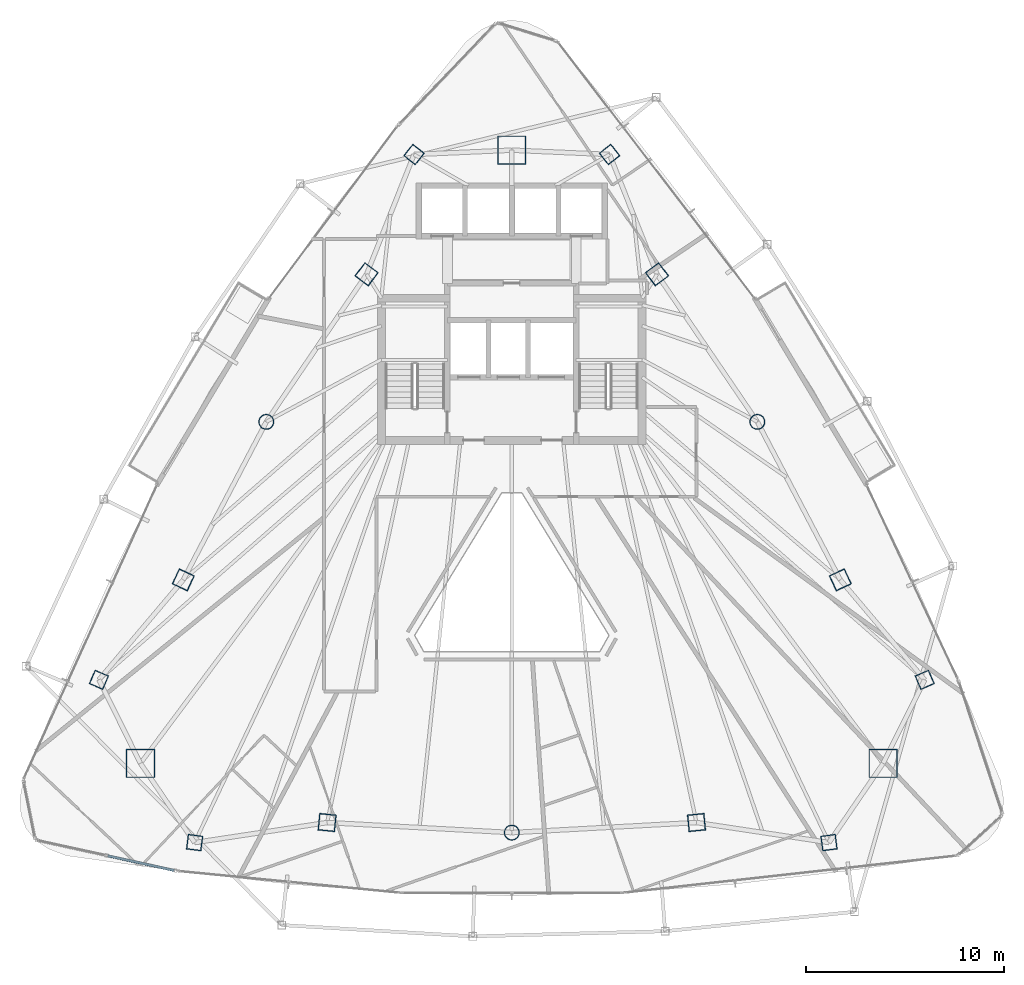
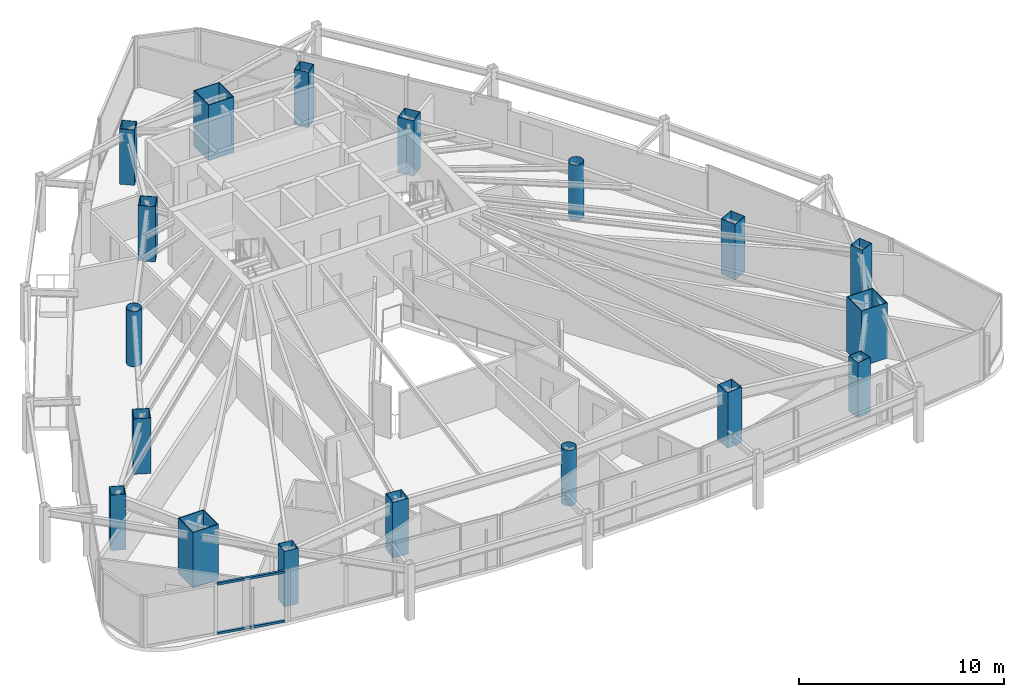
# One storey, part 1 of 29: 18 columns, 2 members, 1 element without a shape of its own.
"""IFC4 building model written with IfcOpenShell, lengths in metres."""

from ifc_helpers import new_model, si_unit, direction, frame, origin, origin_2d, place, context, subcontext, project, spatial, hollow_rectangle, hollow_circle, extrude, material, layer, layer_set, material_profile, profile_set, type_object, element, aggregate, save


model = new_model("IFC4")

# Units and contexts
model_context = context("Model", 3, precision=1e-05, world=origin(), true_north=direction((0.0, 1.0)))
body_context = subcontext(model_context, "Body", "Model", "MODEL_VIEW")
ifc_project = project(units=[si_unit("LENGTHUNIT", "METRE"), si_unit("AREAUNIT", "SQUARE_METRE"), si_unit("VOLUMEUNIT", "CUBIC_METRE"), si_unit("PLANEANGLEUNIT", "RADIAN"), si_unit("MASSUNIT", "GRAM", prefix="KILO")], contexts=[model_context])

# Site, building, storey
site_placement = place(None, origin())
site = spatial("IfcSite", under=ifc_project, at=site_placement, CompositionType="ELEMENT")
building_placement = place(site_placement, origin())
building = spatial("IfcBuilding", under=site, at=building_placement, Name="Orvanel Arch Residences", CompositionType="ELEMENT")
storey_placement = place(building_placement, frame((0.0, 0.0, 163.85009765625)))
storey = spatial("IfcBuildingStorey", under=building, at=storey_placement, Name="L46", CompositionType="ELEMENT", Elevation=163.85009765625)

# Columns
ifc_material_1 = material(Name="Structural steel AS/NZS 1163 C450L0 (Grade 450)", Category="steel")
ifc_material_profile_1 = material_profile(ifc_material_1, hollow_circle(Radius=0.381103515625, WallThickness=0.02197265625, at=origin_2d()), Name="CHS762x22")
ifc_profile_set_1 = profile_set([ifc_material_profile_1], Name="Structural steel AS/NZS 1163 C450L0 (Grade 450)")
column_type_1 = type_object("IfcColumnType", Name="CC-762", PredefinedType="COLUMN", material=ifc_profile_set_1)
for number, where, z_axis, x_axis, name in (
    (1, (20.569091796875, 27.64111328125, 0.0), (0.0, 0.0, 1.0), (1.0, 0.0, 0.0), "L46 High-Rise Tube Column 02"),
    (2, (33.0, 6.843994140625, 0.0), (0.0, 0.0, 1.0), (1.0, 0.0, 0.0), "L46 High-Rise Tube Column 05"),
    (3, (45.430908203125, 27.64111328125, 0.0), (0.0, 0.0, 1.0), (1.0, 0.0, 0.0), "L46 High-Rise Tube Column 08"),
):
    element("IfcColumn", number, at=place(storey_placement, frame(where, z_axis=z_axis, x_axis=x_axis)), inside=storey, type_object=column_type_1, Name=name, PredefinedType="COLUMN", context=body_context, shape_type="SweptSolid", body=[
        extrude(hollow_circle(Radius=0.381103515625, WallThickness=0.02197265625, at=origin_2d()), origin(), (0.0, 0.0, 1.0), 3.2998046875),
    ])
ifc_material_2 = material(Name="Structural steel AS/NZS 3678 Grade 450", Category="steel")
ifc_material_profile_2 = material_profile(ifc_material_2, hollow_rectangle(XDim=1.449951171875, YDim=1.449951171875, WallThickness=0.044921875, at=origin_2d()), Name="BOX1450x1450x45")
ifc_profile_set_2 = profile_set([ifc_material_profile_2], Name="Structural steel AS/NZS 3678 Grade 450")
column_type_2 = type_object("IfcColumnType", Name="MC-1450", PredefinedType="COLUMN", material=ifc_profile_set_2)
for number, where, z_axis, x_axis, name in (
    (4, (33.0, 41.39794921875, 0.0), (0.0, 0.0, 1.0), (1.0, 0.0, 0.0), "L46 Corner Mega-Column 1"),
    (5, (14.198974609375, 10.35107421875, 0.0), (0.0, 0.0, 1.0), (1.0, 0.0, 0.0), "L46 Corner Mega-Column 2"),
    (6, (51.801025390625, 10.35107421875, 0.0), (0.0, 0.0, 1.0), (1.0, 0.0, 0.0), "L46 Corner Mega-Column 3"),
):
    element("IfcColumn", number, at=place(storey_placement, frame(where, z_axis=z_axis, x_axis=x_axis)), inside=storey, type_object=column_type_2, Name=name, PredefinedType="COLUMN", context=body_context, shape_type="SweptSolid", body=[
        extrude(hollow_rectangle(XDim=1.449951171875, YDim=1.449951171875, WallThickness=0.044921875, at=origin_2d()), origin(), (0.0, 0.0, 1.0), 3.2998046875),
    ])
ifc_material_3 = material(Name="Structural steel AS/NZS 3678 Grade 350", Category="steel")
ifc_material_profile_3 = material_profile(ifc_material_3, hollow_rectangle(XDim=0.75, YDim=0.75, WallThickness=0.02490234375, at=origin_2d()), Name="BOX750x750x25")
ifc_profile_set_3 = profile_set([ifc_material_profile_3], Name="Structural steel AS/NZS 3678 Grade 350")
column_type_3 = type_object("IfcColumnType", Name="TC-750", PredefinedType="COLUMN", material=ifc_profile_set_3)
for number, where, z_axis, x_axis, name in (
    (7, (28.050048828125, 41.177978515625, 0.0), (0.0, 0.0, 1.0), (0.623879596709, 0.781520472419, 0.0), "L46 Mid-Rise Buttress Tube Column 01"),
    (8, (12.094970703125, 14.580078125, 0.0), (0.0, 0.0, 1.0), (0.397147890635, 0.917754625684, 0.0), "L46 Mid-Rise Buttress Tube Column 02"),
    (9, (16.94091796875, 6.339111328125, 0.0), (0.0, 0.0, 1.0), (-0.99189444259, 0.127064608601, 0.0), "L46 Mid-Rise Buttress Tube Column 03"),
    (10, (49.05908203125, 6.339111328125, 0.0), (0.0, 0.0, 1.0), (0.99189444259, 0.127064608601, 0.0), "L46 Mid-Rise Buttress Tube Column 04"),
    (11, (53.905029296875, 14.580078125, 0.0), (0.0, 0.0, 1.0), (-0.397147890635, 0.917754625684, 0.0), "L46 Mid-Rise Buttress Tube Column 05"),
    (12, (37.949951171875, 41.177978515625, 0.0), (0.0, 0.0, 1.0), (-0.623879596709, 0.781520472419, 0.0), "L46 Mid-Rise Buttress Tube Column 06"),
):
    element("IfcColumn", number, at=place(storey_placement, frame(where, z_axis=z_axis, x_axis=x_axis)), inside=storey, type_object=column_type_3, Name=name, PredefinedType="COLUMN", context=body_context, shape_type="SweptSolid", body=[
        extrude(hollow_rectangle(XDim=0.75, YDim=0.75, WallThickness=0.02490234375, at=origin_2d()), origin(), (0.0, 0.0, 1.0), 3.2998046875),
    ])
ifc_material_profile_4 = material_profile(ifc_material_3, hollow_rectangle(XDim=0.85009765625, YDim=0.85009765625, WallThickness=0.028076171875, at=origin_2d()), Name="BOX850x850x28")
ifc_profile_set_4 = profile_set([ifc_material_profile_4], Name="Structural steel AS/NZS 3678 Grade 350")
column_type_4 = type_object("IfcColumnType", Name="TC-850", PredefinedType="COLUMN", material=ifc_profile_set_4)
for number, where, z_axis, x_axis, name in (
    (13, (25.64794921875, 35.113037109375, 0.0), (0.0, 0.0, 1.0), (0.600420225326, 0.799684658487, 0.0), "L46 High-Rise Tube Column 01"),
    (14, (16.366943359375, 19.64208984375, 0.0), (0.0, 0.0, 1.0), (0.422618261741, 0.906307787037, 0.0), "L46 High-Rise Tube Column 03"),
    (15, (23.64892578125, 7.35498046875, 0.0), (0.0, 0.0, 1.0), (-0.994880708829, 0.101056297183, 0.0), "L46 High-Rise Tube Column 04"),
    (16, (42.35107421875, 7.35498046875, 0.0), (0.0, 0.0, 1.0), (0.994880708829, 0.101056297183, 0.0), "L46 High-Rise Tube Column 06"),
    (17, (49.633056640625, 19.64208984375, 0.0), (0.0, 0.0, 1.0), (-0.422618261741, 0.906307787037, 0.0), "L46 High-Rise Tube Column 07"),
    (18, (40.35205078125, 35.113037109375, 0.0), (0.0, 0.0, 1.0), (-0.600420225326, 0.799684658487, 0.0), "L46 High-Rise Tube Column 09"),
):
    element("IfcColumn", number, at=place(storey_placement, frame(where, z_axis=z_axis, x_axis=x_axis)), inside=storey, type_object=column_type_4, Name=name, PredefinedType="COLUMN", context=body_context, shape_type="SweptSolid", body=[
        extrude(hollow_rectangle(XDim=0.85009765625, YDim=0.85009765625, WallThickness=0.028076171875, at=origin_2d()), origin(), (0.0, 0.0, 1.0), 3.2998046875),
    ])

# Curtain wall, members
ifc_material_4 = material(Name="Bronze-anodised aluminium AA6063-T6", Category="aluminium")
ifc_layer = layer(ifc_material_4, 0.18994140625)
ifc_layer_set = layer_set([ifc_layer], Name="Bronze-anodised aluminium AA6063-T6")
curtain_wall_type = type_object("IfcCurtainWallType", Name="CW5-CRN-SYS", PredefinedType="NOTDEFINED", material=ifc_layer_set)
curtain_wall_placement = place(storey_placement, origin())
curtain_wall = element("IfcCurtainWall", 19, at=curtain_wall_placement, inside=storey, type_object=curtain_wall_type, Name="L46 CW5-CRN-SYS Unitised Curtain Wall", PredefinedType="NOTDEFINED")
ifc_material_profile_5 = material_profile(ifc_material_4, hollow_rectangle(XDim=0.1298828125, YDim=0.1298828125, WallThickness=0.00439453125, at=origin_2d()), Name="ALU130x130x4.5")
ifc_profile_set_5 = profile_set([ifc_material_profile_5], Name="Bronze-anodised aluminium AA6063-T6")
member_type = type_object("IfcMemberType", Name="TRN-130x130", PredefinedType="USERDEFINED", material=ifc_profile_set_5)
member_1_placement = place(storey_placement, frame((12.545166015625, 5.67041015625, 0.06494140625), z_axis=(0.976757375333, -0.21434791749, 0.0), x_axis=(0.21434791749, 0.976757375333, 0.0)))
member_1 = element("IfcMember", 20, at=member_1_placement, type_object=member_type, Name="CW-S5 transom 2.1", ObjectType="TRANSOM", PredefinedType="USERDEFINED", context=body_context, shape_type="SweptSolid", body=[
    extrude(hollow_rectangle(XDim=0.1298828125, YDim=0.1298828125, WallThickness=0.00439453125, at=origin_2d()), origin(), (0.0, 0.0, 1.0), 3.4443359375),
])
member_2_placement = place(storey_placement, frame((12.545166015625, 5.67041015625, 2.994873046875), z_axis=(0.976757375333, -0.21434791749, 0.0), x_axis=(0.21434791749, 0.976757375333, 0.0)))
member_2 = element("IfcMember", 21, at=member_2_placement, type_object=member_type, Name="CW-S5 transom 2.2", ObjectType="TRANSOM", PredefinedType="USERDEFINED", context=body_context, shape_type="SweptSolid", body=[
    extrude(hollow_rectangle(XDim=0.1298828125, YDim=0.1298828125, WallThickness=0.00439453125, at=origin_2d()), origin(), (0.0, 0.0, 1.0), 3.4443359375),
])
aggregate(curtain_wall, [member_1, member_2])

save(model, "model.ifc")
